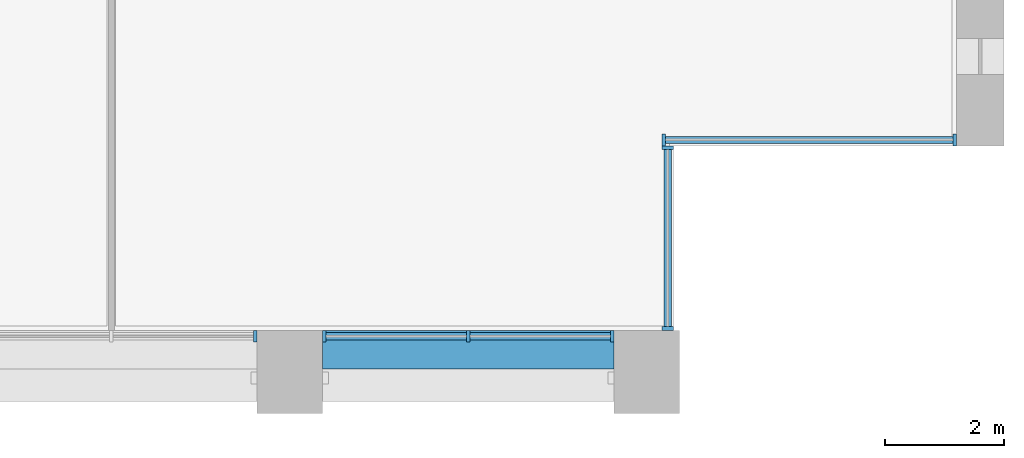
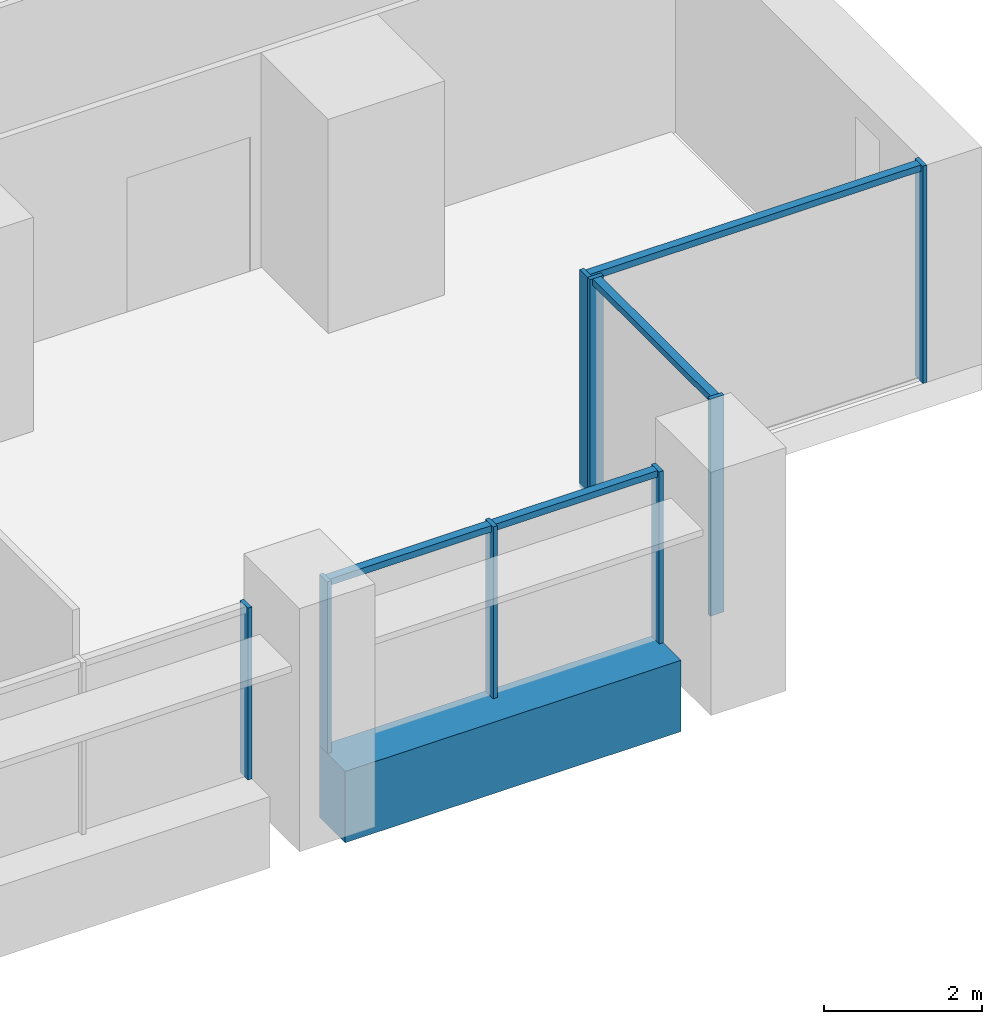
# One storey, part 5 of 18: 12 members, 1 beam, 4 elements without a shape of their own.
"""IFC4 building model written with IfcOpenShell, lengths in metres."""

from ifc_helpers import new_model, si_unit, direction, frame, origin, origin_2d, place, context, subcontext, project, spatial, rectangle, extrude, material, material_profile, profile_set, type_object, element, aggregate, save


model = new_model("IFC4")

# Units and contexts
model_context = context("Model", 3, precision=1e-05, world=origin(), true_north=direction((0.0, 1.0)))
body_context = subcontext(model_context, "Body", "Model", "MODEL_VIEW")
ifc_project = project(units=[si_unit("LENGTHUNIT", "METRE"), si_unit("AREAUNIT", "SQUARE_METRE"), si_unit("VOLUMEUNIT", "CUBIC_METRE"), si_unit("PLANEANGLEUNIT", "RADIAN"), si_unit("MASSUNIT", "GRAM", prefix="KILO")], contexts=[model_context])

# Site, building, storey
site_placement = place(None, origin())
site = spatial("IfcSite", under=ifc_project, at=site_placement, CompositionType="ELEMENT")
building_placement = place(site_placement, origin())
building = spatial("IfcBuilding", under=site, at=building_placement, Name="Calvaro Tower", CompositionType="ELEMENT")
storey_placement = place(building_placement, frame((0.0, 0.0, 52.5)))
storey = spatial("IfcBuildingStorey", under=building, at=storey_placement, Name="L12", CompositionType="ELEMENT", Elevation=52.5)

# Curtain wall, member
ifc_material_1 = material(Name="Anodised aluminium", Category="aluminium")
curtain_wall_type = type_object("IfcCurtainWallType", Name="Office curtain wall, lower zone", PredefinedType="NOTDEFINED", material=ifc_material_1)
curtain_wall_1_placement = place(storey_placement, origin())
curtain_wall_1 = element("IfcCurtainWall", 1, at=curtain_wall_1_placement, inside=storey, type_object=curtain_wall_type, Name="CW1 south curtain wall", PredefinedType="NOTDEFINED")
ifc_material_2 = material(Name="Anodised aluminium", Category="aluminium")
ifc_material_profile_1 = material_profile(ifc_material_2, rectangle(XDim=0.199951171875, YDim=0.06005859375, at=origin_2d()), Name="Mullion S1 60 x 200")
ifc_profile_set_1 = profile_set([ifc_material_profile_1], Name="Anodised aluminium")
member_type_1 = type_object("IfcMemberType", Name="Mullion S1 60 x 200", PredefinedType="MULLION", material=ifc_profile_set_1)
member_1_placement = place(storey_placement, frame((65.419921875, 1.300048828125, 0.0), z_axis=(0.0, 0.0, 1.0), x_axis=(0.0, 1.0, 0.0)))
member_1 = element("IfcMember", 2, at=member_1_placement, type_object=member_type_1, Name="CW1 mullion 3", PredefinedType="MULLION", context=body_context, shape_type="SweptSolid", body=[
    extrude(rectangle(XDim=0.199951171875, YDim=0.06005859375, at=origin_2d()), origin(), (0.0, 0.0, 1.0), 2.64990234375),
])
aggregate(curtain_wall_1, [member_1])

# Curtain wall, members
curtain_wall_2_placement = place(storey_placement, origin())
curtain_wall_2 = element("IfcCurtainWall", 3, at=curtain_wall_2_placement, inside=storey, type_object=curtain_wall_type, Name="CW1 south curtain wall", PredefinedType="NOTDEFINED")
member_2_placement = place(storey_placement, frame((66.580078125, 1.300048828125, 0.0), z_axis=(0.0, 0.0, 1.0), x_axis=(0.0, 1.0, 0.0)))
member_2 = element("IfcMember", 4, at=member_2_placement, type_object=member_type_1, Name="CW1 mullion 1", PredefinedType="MULLION", context=body_context, shape_type="SweptSolid", body=[
    extrude(rectangle(XDim=0.199951171875, YDim=0.06005859375, at=origin_2d()), origin(), (0.0, 0.0, 1.0), 2.64990234375),
])
member_3_placement = place(storey_placement, frame((69.0, 1.300048828125, 0.0), z_axis=(0.0, 0.0, 1.0), x_axis=(0.0, 1.0, 0.0)))
member_3 = element("IfcMember", 5, at=member_3_placement, type_object=member_type_1, Name="CW1 mullion 2", PredefinedType="MULLION", context=body_context, shape_type="SweptSolid", body=[
    extrude(rectangle(XDim=0.199951171875, YDim=0.06005859375, at=origin_2d()), origin(), (0.0, 0.0, 1.0), 2.64990234375),
])
member_4_placement = place(storey_placement, frame((71.419921875, 1.300048828125, 0.0), z_axis=(0.0, 0.0, 1.0), x_axis=(0.0, 1.0, 0.0)))
member_4 = element("IfcMember", 6, at=member_4_placement, type_object=member_type_1, Name="CW1 mullion 3", PredefinedType="MULLION", context=body_context, shape_type="SweptSolid", body=[
    extrude(rectangle(XDim=0.199951171875, YDim=0.06005859375, at=origin_2d()), origin(), (0.0, 0.0, 1.0), 2.64990234375),
])

curtain_wall_3_placement = place(storey_placement, origin())
curtain_wall_3 = element("IfcCurtainWall", 7, at=curtain_wall_3_placement, inside=storey, type_object=curtain_wall_type, Name="CW1 corner curtain wall", PredefinedType="NOTDEFINED")
member_5_placement = place(storey_placement, frame((72.35009765625, 1.429931640625, 0.0), z_axis=(0.0, 0.0, 1.0), x_axis=(-1.0, 0.0, 0.0)))
member_5 = element("IfcMember", 8, at=member_5_placement, type_object=member_type_1, Name="CW1 mullion 1", PredefinedType="MULLION", context=body_context, shape_type="SweptSolid", body=[
    extrude(rectangle(XDim=0.199951171875, YDim=0.06005859375, at=origin_2d()), origin(), (0.0, 0.0, 1.0), 3.35009765625),
])
member_6_placement = place(storey_placement, frame((72.35009765625, 4.469970703125, 0.0), z_axis=(0.0, 0.0, 1.0), x_axis=(-1.0, 0.0, 0.0)))
member_6 = element("IfcMember", 9, at=member_6_placement, type_object=member_type_1, Name="CW1 mullion 2", PredefinedType="MULLION", context=body_context, shape_type="SweptSolid", body=[
    extrude(rectangle(XDim=0.199951171875, YDim=0.06005859375, at=origin_2d()), origin(), (0.0, 0.0, 1.0), 3.35009765625),
])

curtain_wall_4_placement = place(storey_placement, origin())
curtain_wall_4 = element("IfcCurtainWall", 10, at=curtain_wall_4_placement, inside=storey, type_object=curtain_wall_type, Name="CW1 corner curtain wall", PredefinedType="NOTDEFINED")
member_7_placement = place(storey_placement, frame((72.280029296875, 4.60009765625, 0.0), z_axis=(0.0, 0.0, 1.0), x_axis=(0.0, 1.0, 0.0)))
member_7 = element("IfcMember", 11, at=member_7_placement, type_object=member_type_1, Name="CW1 mullion 1", PredefinedType="MULLION", context=body_context, shape_type="SweptSolid", body=[
    extrude(rectangle(XDim=0.199951171875, YDim=0.06005859375, at=origin_2d()), origin(), (0.0, 0.0, 1.0), 3.35009765625),
])
member_8_placement = place(storey_placement, frame((77.169921875, 4.60009765625, 0.0), z_axis=(0.0, 0.0, 1.0), x_axis=(0.0, 1.0, 0.0)))
member_8 = element("IfcMember", 12, at=member_8_placement, type_object=member_type_1, Name="CW1 mullion 2", PredefinedType="MULLION", context=body_context, shape_type="SweptSolid", body=[
    extrude(rectangle(XDim=0.199951171875, YDim=0.06005859375, at=origin_2d()), origin(), (0.0, 0.0, 1.0), 3.35009765625),
])

# Beam
ifc_material_3 = material(Name="Concrete C50/60 precast", Category="concrete")
ifc_material_profile_2 = material_profile(ifc_material_3, rectangle(XDim=0.64990234375, YDim=1.10009765625, at=origin_2d()), Name="RC 650x1100")
ifc_profile_set_2 = profile_set([ifc_material_profile_2], Name="Concrete C50/60 precast")
beam_type = type_object("IfcBeamType", Name="Spandrel beam 650x1100 C50/60", PredefinedType="SPANDREL", material=ifc_profile_set_2)
beam_placement = place(storey_placement, frame((66.550048828125, 1.074951171875, -0.550048828125), z_axis=(1.0, 0.0, 0.0), x_axis=(0.0, 1.0, 0.0)))
element("IfcBeam", 13, at=beam_placement, inside=storey, type_object=beam_type, Name="Spandrel beam", PredefinedType="SPANDREL", context=body_context, shape_type="SweptSolid", body=[
    extrude(rectangle(XDim=0.64990234375, YDim=1.10009765625, at=origin_2d()), origin(), (0.0, 0.0, 1.0), 4.89990234375),
])

# Member
ifc_material_4 = material(Name="Anodised aluminium", Category="aluminium")
ifc_material_profile_3 = material_profile(ifc_material_4, rectangle(XDim=0.1201171875, YDim=0.10009765625, at=origin_2d()), Name="Transom S1 100 x 120")
ifc_profile_set_3 = profile_set([ifc_material_profile_3], Name="Anodised aluminium")
member_type_2 = type_object("IfcMemberType", Name="Transom S1 100 x 120", PredefinedType="USERDEFINED", material=ifc_profile_set_3)
member_9_placement = place(storey_placement, frame((66.610107421875, 1.300048828125, 2.60009765625), z_axis=(1.0, 0.0, 0.0), x_axis=(0.0, 1.0, 0.0)))
member_9 = element("IfcMember", 14, at=member_9_placement, type_object=member_type_2, Name="CW1 transom 1.1", ObjectType="TRANSOM", PredefinedType="USERDEFINED", context=body_context, shape_type="SweptSolid", body=[
    extrude(rectangle(XDim=0.1201171875, YDim=0.10009765625, at=origin_2d()), origin(), (0.0, 0.0, 1.0), 2.35986328125),
])

member_10_placement = place(storey_placement, frame((69.030029296875, 1.300048828125, 2.60009765625), z_axis=(1.0, 0.0, 0.0), x_axis=(0.0, 1.0, 0.0)))
member_10 = element("IfcMember", 15, at=member_10_placement, type_object=member_type_2, Name="CW1 transom 2.1", ObjectType="TRANSOM", PredefinedType="USERDEFINED", context=body_context, shape_type="SweptSolid", body=[
    extrude(rectangle(XDim=0.1201171875, YDim=0.10009765625, at=origin_2d()), origin(), (0.0, 0.0, 1.0), 2.35986328125),
])

aggregate(curtain_wall_2, [member_2, member_3, member_4, member_9, member_10])

member_11_placement = place(storey_placement, frame((72.35009765625, 1.4599609375, 3.300048828125), z_axis=(0.0, 1.0, 0.0), x_axis=(-1.0, 0.0, 0.0)))
member_11 = element("IfcMember", 16, at=member_11_placement, type_object=member_type_2, Name="CW1 transom 1.1", ObjectType="TRANSOM", PredefinedType="USERDEFINED", context=body_context, shape_type="SweptSolid", body=[
    extrude(rectangle(XDim=0.1201171875, YDim=0.10009765625, at=origin_2d()), origin(), (0.0, 0.0, 1.0), 2.97998046875),
])

aggregate(curtain_wall_3, [member_5, member_6, member_11])

member_12_placement = place(storey_placement, frame((72.31005859375, 4.60009765625, 3.300048828125), z_axis=(1.0, 0.0, 0.0), x_axis=(0.0, 1.0, 0.0)))
member_12 = element("IfcMember", 17, at=member_12_placement, type_object=member_type_2, Name="CW1 transom 1.1", ObjectType="TRANSOM", PredefinedType="USERDEFINED", context=body_context, shape_type="SweptSolid", body=[
    extrude(rectangle(XDim=0.1201171875, YDim=0.10009765625, at=origin_2d()), origin(), (0.0, 0.0, 1.0), 4.829833984375),
])

aggregate(curtain_wall_4, [member_7, member_8, member_12])

save(model, "model.ifc")
